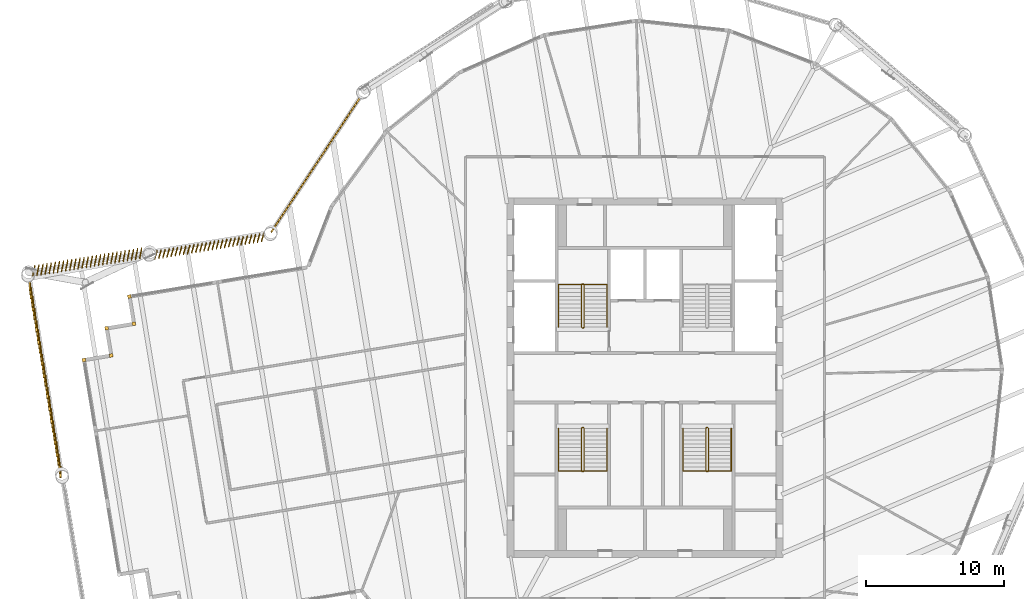
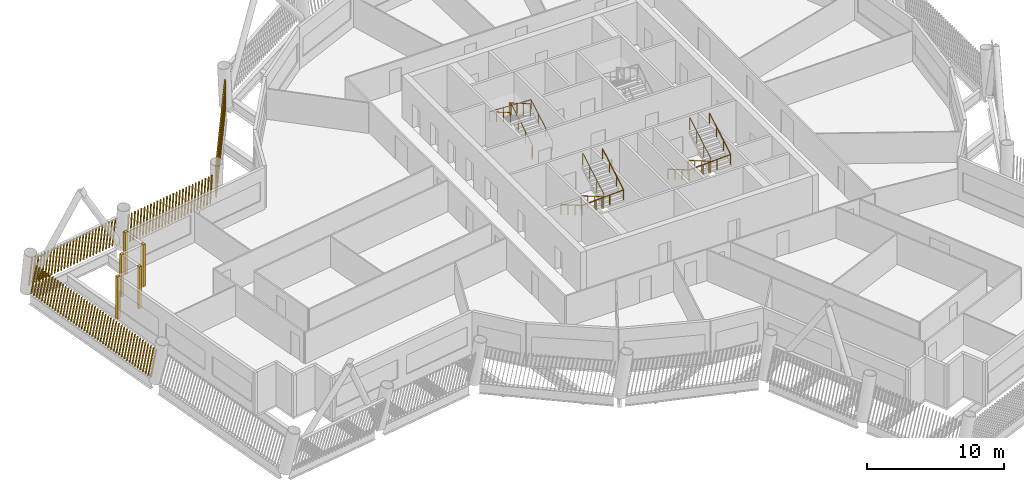
# One storey, part 20 of 23: 9 shading devices, 6 railings.
"""IFC4 building model written with IfcOpenShell, lengths in metres."""

from ifc_helpers import new_model, si_unit, direction, frame, frame_2d, origin, origin_2d, place, context, subcontext, project, spatial, rectangle, circle, composite_profile, extrude, material, type_object, element, save


model = new_model("IFC4")

# Units and contexts
model_context = context("Model", 3, precision=1e-05, world=origin(), true_north=direction((0.0, 1.0)))
body_context = subcontext(model_context, "Body", "Model", "MODEL_VIEW")
ifc_project = project(units=[si_unit("LENGTHUNIT", "METRE"), si_unit("AREAUNIT", "SQUARE_METRE"), si_unit("VOLUMEUNIT", "CUBIC_METRE"), si_unit("PLANEANGLEUNIT", "RADIAN"), si_unit("MASSUNIT", "GRAM", prefix="KILO")], contexts=[model_context])

# Site, building, storey
site_placement = place(None, origin())
site = spatial("IfcSite", under=ifc_project, at=site_placement, CompositionType="ELEMENT")
building_placement = place(site_placement, origin())
building = spatial("IfcBuilding", under=site, at=building_placement, Name="Tarsis Ring Headquarters", CompositionType="ELEMENT")
storey_placement = place(building_placement, frame((0.0, 0.0, 323.60009765625)))
storey = spatial("IfcBuildingStorey", under=building, at=storey_placement, Name="L76", CompositionType="ELEMENT", Elevation=323.60009765625)

# Railings
ifc_material_1 = material(Name="Steel S355", Category="steel")
railing_type_1 = type_object("IfcRailingType", Name="Core stair guard 1100", PredefinedType="GUARDRAIL", material=ifc_material_1)
railing_1_placement = place(storey_placement, frame((-4.5400390625, 3.610107421875, 0.0)))
element("IfcRailing", 1, at=railing_1_placement, inside=storey, type_object=railing_type_1, Name="L76 ST1 stair guard 1", PredefinedType="GUARDRAIL", context=body_context, shape_type="SweptSolid", body=[
    extrude(circle(Radius=0.02392578125, at=origin_2d()), frame((0.0, 0.0, 1.076171875), z_axis=(1.0, 0.0, 0.0), x_axis=(0.0, 1.0, 0.0)), (0.0, 0.0, 1.0), 0.080078125),
    extrude(circle(Radius=0.02392578125, at=origin_2d()), frame((0.080078125, 0.0, 1.076171875), z_axis=(0.282693820306, 0.281314826061, 0.917031173188), x_axis=(-0.705375805398, 0.708833529934, 0.0)), (0.0, 0.0, 1.0), 0.177001953125),
    extrude(circle(Radius=0.02392578125, at=origin_2d()), frame((0.130126953125, 0.0498046875, 1.23828125), z_axis=(0.0, 0.864890721111, 0.501960198159), x_axis=(-1.0, 0.0, 0.0)), (0.0, 0.0, 1.0), 3.561279296875),
    extrude(circle(Radius=0.02392578125, at=origin_2d()), frame((0.130126953125, 3.1298828125, 3.02587890625), z_axis=(-0.707106781187, 0.707106781187, 0.0), x_axis=(-0.707106781187, -0.707106781187, 0.0)), (0.0, 0.0, 1.0), 0.07080078125),
    extrude(circle(Radius=0.02392578125, at=origin_2d()), frame((0.080078125, 3.179931640625, 3.02587890625), z_axis=(-1.0, 0.0, 0.0), x_axis=(0.0, -1.0, 0.0)), (0.0, 0.0, 1.0), 0.080078125),
    extrude(circle(Radius=0.02392578125, at=origin_2d()), frame((0.0, 3.179931640625, 3.02587890625), z_axis=(-0.282583949758, -0.282583949758, 0.916674763849), x_axis=(0.707106781187, -0.707106781187, 0.0)), (0.0, 0.0, 1.0), 0.177001953125),
    extrude(circle(Radius=0.02392578125, at=origin_2d()), frame((-0.050048828125, 3.1298828125, 3.1884765625), z_axis=(0.0, -0.864890721111, 0.501960198159), x_axis=(1.0, 0.0, 0.0)), (0.0, 0.0, 1.0), 3.561279296875),
    extrude(circle(Radius=0.02099609375, at=origin_2d()), origin(), (0.0, 0.0, 1.0), 1.052001953125),
    extrude(circle(Radius=0.02099609375, at=origin_2d()), frame((0.080078125, 0.0, 0.0)), (0.0, 0.0, 1.0), 1.052001953125),
    extrude(circle(Radius=0.02099609375, at=origin_2d()), frame((0.130126953125, 0.0498046875, 0.162353515625)), (0.0, 0.0, 1.0), 1.052001953125),
    extrude(circle(Radius=0.02099609375, at=origin_2d()), frame((0.130126953125, 1.076416015625, 0.75830078125)), (0.0, 0.0, 1.0), 1.052001953125),
    extrude(circle(Radius=0.02099609375, at=origin_2d()), frame((0.130126953125, 2.103271484375, 1.35400390625)), (0.0, 0.0, 1.0), 1.052001953125),
    extrude(circle(Radius=0.02099609375, at=origin_2d()), frame((0.130126953125, 3.1298828125, 1.949951171875)), (0.0, 0.0, 1.0), 1.052001953125),
    extrude(circle(Radius=0.02099609375, at=origin_2d()), frame((0.080078125, 3.179931640625, 1.949951171875)), (0.0, 0.0, 1.0), 1.052001953125),
    extrude(circle(Radius=0.02099609375, at=origin_2d()), frame((0.0, 3.179931640625, 1.949951171875)), (0.0, 0.0, 1.0), 1.052001953125),
    extrude(circle(Radius=0.02099609375, at=origin_2d()), frame((-0.050048828125, 3.1298828125, 2.1123046875)), (0.0, 0.0, 1.0), 1.052001953125),
    extrude(circle(Radius=0.02099609375, at=origin_2d()), frame((-0.050048828125, 2.103271484375, 2.708251953125)), (0.0, 0.0, 1.0), 1.052001953125),
    extrude(circle(Radius=0.02099609375, at=origin_2d()), frame((-0.050048828125, 1.076416015625, 3.303955078125)), (0.0, 0.0, 1.0), 1.052001953125),
    extrude(circle(Radius=0.02099609375, at=origin_2d()), frame((-0.050048828125, 0.0498046875, 3.89990234375)), (0.0, 0.0, 1.0), 1.052001953125),
])
railing_2_placement = place(storey_placement, frame((-4.4599609375, -3.610107421875, 0.0)))
element("IfcRailing", 2, at=railing_2_placement, inside=storey, type_object=railing_type_1, Name="L76 ST3 stair guard 1", PredefinedType="GUARDRAIL", context=body_context, shape_type="SweptSolid", body=[
    extrude(circle(Radius=0.02392578125, at=origin_2d()), frame((0.0, 0.0, 1.076171875), z_axis=(-1.0, 0.0, 0.0), x_axis=(0.0, -1.0, 0.0)), (0.0, 0.0, 1.0), 0.080078125),
    extrude(circle(Radius=0.02392578125, at=origin_2d()), frame((-0.080078125, 0.0, 1.076171875), z_axis=(-0.282693820306, -0.281314826061, 0.917031173188), x_axis=(0.705375805398, -0.708833529934, 0.0)), (0.0, 0.0, 1.0), 0.177001953125),
    extrude(circle(Radius=0.02392578125, at=origin_2d()), frame((-0.130126953125, -0.0498046875, 1.23828125), z_axis=(0.0, -0.864890721111, 0.501960198159), x_axis=(1.0, 0.0, 0.0)), (0.0, 0.0, 1.0), 3.561279296875),
    extrude(circle(Radius=0.02392578125, at=origin_2d()), frame((-0.130126953125, -3.1298828125, 3.02587890625), z_axis=(0.707106781187, -0.707106781187, 0.0), x_axis=(0.707106781187, 0.707106781187, 0.0)), (0.0, 0.0, 1.0), 0.07080078125),
    extrude(circle(Radius=0.02392578125, at=origin_2d()), frame((-0.080078125, -3.179931640625, 3.02587890625), z_axis=(1.0, 0.0, 0.0), x_axis=(0.0, 1.0, 0.0)), (0.0, 0.0, 1.0), 0.080078125),
    extrude(circle(Radius=0.02392578125, at=origin_2d()), frame((0.0, -3.179931640625, 3.02587890625), z_axis=(0.282583949758, 0.282583949758, 0.916674763849), x_axis=(-0.707106781187, 0.707106781187, 0.0)), (0.0, 0.0, 1.0), 0.177001953125),
    extrude(circle(Radius=0.02392578125, at=origin_2d()), frame((0.050048828125, -3.1298828125, 3.1884765625), z_axis=(0.0, 0.864890721111, 0.501960198159), x_axis=(-1.0, 0.0, 0.0)), (0.0, 0.0, 1.0), 3.561279296875),
    extrude(circle(Radius=0.02099609375, at=origin_2d()), origin(), (0.0, 0.0, 1.0), 1.052001953125),
    extrude(circle(Radius=0.02099609375, at=origin_2d()), frame((-0.080078125, 0.0, 0.0)), (0.0, 0.0, 1.0), 1.052001953125),
    extrude(circle(Radius=0.02099609375, at=origin_2d()), frame((-0.130126953125, -0.0498046875, 0.162353515625)), (0.0, 0.0, 1.0), 1.052001953125),
    extrude(circle(Radius=0.02099609375, at=origin_2d()), frame((-0.130126953125, -1.076416015625, 0.75830078125)), (0.0, 0.0, 1.0), 1.052001953125),
    extrude(circle(Radius=0.02099609375, at=origin_2d()), frame((-0.130126953125, -2.103271484375, 1.35400390625)), (0.0, 0.0, 1.0), 1.052001953125),
    extrude(circle(Radius=0.02099609375, at=origin_2d()), frame((-0.130126953125, -3.1298828125, 1.949951171875)), (0.0, 0.0, 1.0), 1.052001953125),
    extrude(circle(Radius=0.02099609375, at=origin_2d()), frame((-0.080078125, -3.179931640625, 1.949951171875)), (0.0, 0.0, 1.0), 1.052001953125),
    extrude(circle(Radius=0.02099609375, at=origin_2d()), frame((0.0, -3.179931640625, 1.949951171875)), (0.0, 0.0, 1.0), 1.052001953125),
    extrude(circle(Radius=0.02099609375, at=origin_2d()), frame((0.050048828125, -3.1298828125, 2.1123046875)), (0.0, 0.0, 1.0), 1.052001953125),
    extrude(circle(Radius=0.02099609375, at=origin_2d()), frame((0.050048828125, -2.103271484375, 2.708251953125)), (0.0, 0.0, 1.0), 1.052001953125),
    extrude(circle(Radius=0.02099609375, at=origin_2d()), frame((0.050048828125, -1.076416015625, 3.303955078125)), (0.0, 0.0, 1.0), 1.052001953125),
    extrude(circle(Radius=0.02099609375, at=origin_2d()), frame((0.050048828125, -0.0498046875, 3.89990234375)), (0.0, 0.0, 1.0), 1.052001953125),
])
railing_3_placement = place(storey_placement, frame((4.5400390625, -3.610107421875, 0.0)))
element("IfcRailing", 3, at=railing_3_placement, inside=storey, type_object=railing_type_1, Name="L76 ST4 stair guard 1", PredefinedType="GUARDRAIL", context=body_context, shape_type="SweptSolid", body=[
    extrude(circle(Radius=0.02392578125, at=origin_2d()), frame((0.0, 0.0, 1.076171875), z_axis=(-1.0, 0.0, 0.0), x_axis=(0.0, -1.0, 0.0)), (0.0, 0.0, 1.0), 0.080078125),
    extrude(circle(Radius=0.02392578125, at=origin_2d()), frame((-0.080078125, 0.0, 1.076171875), z_axis=(-0.282693820306, -0.281314826061, 0.917031173188), x_axis=(0.705375805398, -0.708833529934, 0.0)), (0.0, 0.0, 1.0), 0.177001953125),
    extrude(circle(Radius=0.02392578125, at=origin_2d()), frame((-0.130126953125, -0.0498046875, 1.23828125), z_axis=(0.0, -0.864890721111, 0.501960198159), x_axis=(1.0, 0.0, 0.0)), (0.0, 0.0, 1.0), 3.561279296875),
    extrude(circle(Radius=0.02392578125, at=origin_2d()), frame((-0.130126953125, -3.1298828125, 3.02587890625), z_axis=(0.707106781187, -0.707106781187, 0.0), x_axis=(0.707106781187, 0.707106781187, 0.0)), (0.0, 0.0, 1.0), 0.07080078125),
    extrude(circle(Radius=0.02392578125, at=origin_2d()), frame((-0.080078125, -3.179931640625, 3.02587890625), z_axis=(1.0, 0.0, 0.0), x_axis=(0.0, 1.0, 0.0)), (0.0, 0.0, 1.0), 0.080078125),
    extrude(circle(Radius=0.02392578125, at=origin_2d()), frame((0.0, -3.179931640625, 3.02587890625), z_axis=(0.282583949758, 0.282583949758, 0.916674763849), x_axis=(-0.707106781187, 0.707106781187, 0.0)), (0.0, 0.0, 1.0), 0.177001953125),
    extrude(circle(Radius=0.02392578125, at=origin_2d()), frame((0.050048828125, -3.1298828125, 3.1884765625), z_axis=(0.0, 0.864890721111, 0.501960198159), x_axis=(-1.0, 0.0, 0.0)), (0.0, 0.0, 1.0), 3.561279296875),
    extrude(circle(Radius=0.02099609375, at=origin_2d()), origin(), (0.0, 0.0, 1.0), 1.052001953125),
    extrude(circle(Radius=0.02099609375, at=origin_2d()), frame((-0.080078125, 0.0, 0.0)), (0.0, 0.0, 1.0), 1.052001953125),
    extrude(circle(Radius=0.02099609375, at=origin_2d()), frame((-0.130126953125, -0.0498046875, 0.162353515625)), (0.0, 0.0, 1.0), 1.052001953125),
    extrude(circle(Radius=0.02099609375, at=origin_2d()), frame((-0.130126953125, -1.076416015625, 0.75830078125)), (0.0, 0.0, 1.0), 1.052001953125),
    extrude(circle(Radius=0.02099609375, at=origin_2d()), frame((-0.130126953125, -2.103271484375, 1.35400390625)), (0.0, 0.0, 1.0), 1.052001953125),
    extrude(circle(Radius=0.02099609375, at=origin_2d()), frame((-0.130126953125, -3.1298828125, 1.949951171875)), (0.0, 0.0, 1.0), 1.052001953125),
    extrude(circle(Radius=0.02099609375, at=origin_2d()), frame((-0.080078125, -3.179931640625, 1.949951171875)), (0.0, 0.0, 1.0), 1.052001953125),
    extrude(circle(Radius=0.02099609375, at=origin_2d()), frame((0.0, -3.179931640625, 1.949951171875)), (0.0, 0.0, 1.0), 1.052001953125),
    extrude(circle(Radius=0.02099609375, at=origin_2d()), frame((0.050048828125, -3.1298828125, 2.1123046875)), (0.0, 0.0, 1.0), 1.052001953125),
    extrude(circle(Radius=0.02099609375, at=origin_2d()), frame((0.050048828125, -2.103271484375, 2.708251953125)), (0.0, 0.0, 1.0), 1.052001953125),
    extrude(circle(Radius=0.02099609375, at=origin_2d()), frame((0.050048828125, -1.076416015625, 3.303955078125)), (0.0, 0.0, 1.0), 1.052001953125),
    extrude(circle(Radius=0.02099609375, at=origin_2d()), frame((0.050048828125, -0.0498046875, 3.89990234375)), (0.0, 0.0, 1.0), 1.052001953125),
])
railing_type_2 = type_object("IfcRailingType", Name="Core stair handrail 900", PredefinedType="HANDRAIL", material=ifc_material_1)
railing_4_placement = place(storey_placement, frame((-2.75, 3.659912109375, 0.162353515625)))
element("IfcRailing", 4, at=railing_4_placement, inside=storey, type_object=railing_type_2, Name="L76 ST1 stair handrail 1", PredefinedType="HANDRAIL", context=body_context, shape_type="SweptSolid", body=[
    extrude(circle(Radius=0.02392578125, at=origin_2d()), frame((0.0, 0.0, 0.8759765625), z_axis=(0.0, 0.864890721111, 0.501960198159), x_axis=(-1.0, 0.0, 0.0)), (0.0, 0.0, 1.0), 3.561279296875),
    extrude(circle(Radius=0.02392578125, at=origin_2d()), frame((0.0, 3.080078125, 2.66357421875), z_axis=(-0.998925869279, 0.0, 0.04633689335), x_axis=(0.0, -1.0, 0.0)), (0.0, 0.0, 1.0), 3.503662109375),
    extrude(circle(Radius=0.02392578125, at=origin_2d()), frame((-3.5, 3.080078125, 2.82568359375), z_axis=(0.0, -0.864890721111, 0.501960198159), x_axis=(1.0, 0.0, 0.0)), (0.0, 0.0, 1.0), 3.561279296875),
    extrude(circle(Radius=0.02099609375, at=origin_2d()), origin(), (0.0, 0.0, 1.0), 0.851806640625),
    extrude(circle(Radius=0.02099609375, at=origin_2d()), frame((0.0, 1.026611328125, 0.595947265625)), (0.0, 0.0, 1.0), 0.851806640625),
    extrude(circle(Radius=0.02099609375, at=origin_2d()), frame((0.0, 2.053466796875, 1.191650390625)), (0.0, 0.0, 1.0), 0.851806640625),
    extrude(circle(Radius=0.02099609375, at=origin_2d()), frame((0.0, 3.080078125, 1.78759765625)), (0.0, 0.0, 1.0), 0.851806640625),
    extrude(circle(Radius=0.02099609375, at=origin_2d()), frame((-1.166748046875, 3.080078125, 1.841796875)), (0.0, 0.0, 1.0), 0.851806640625),
    extrude(circle(Radius=0.02099609375, at=origin_2d()), frame((-2.333251953125, 3.080078125, 1.895751953125)), (0.0, 0.0, 1.0), 0.851806640625),
    extrude(circle(Radius=0.02099609375, at=origin_2d()), frame((-3.5, 3.080078125, 1.949951171875)), (0.0, 0.0, 1.0), 0.851806640625),
    extrude(circle(Radius=0.02099609375, at=origin_2d()), frame((-3.5, 2.053466796875, 2.5458984375)), (0.0, 0.0, 1.0), 0.851806640625),
    extrude(circle(Radius=0.02099609375, at=origin_2d()), frame((-3.5, 1.026611328125, 3.1416015625)), (0.0, 0.0, 1.0), 0.851806640625),
    extrude(circle(Radius=0.02099609375, at=origin_2d()), frame((-3.5, 0.0, 3.737548828125)), (0.0, 0.0, 1.0), 0.851806640625),
])
railing_5_placement = place(storey_placement, frame((-6.25, -3.659912109375, 0.162353515625)))
element("IfcRailing", 5, at=railing_5_placement, inside=storey, type_object=railing_type_2, Name="L76 ST3 stair handrail 1", PredefinedType="HANDRAIL", context=body_context, shape_type="SweptSolid", body=[
    extrude(circle(Radius=0.02392578125, at=origin_2d()), frame((0.0, 0.0, 0.8759765625), z_axis=(0.0, -0.864890721111, 0.501960198159), x_axis=(1.0, 0.0, 0.0)), (0.0, 0.0, 1.0), 3.561279296875),
    extrude(circle(Radius=0.02392578125, at=origin_2d()), frame((0.0, -3.080078125, 2.66357421875), z_axis=(0.998925869279, 0.0, 0.04633689335), x_axis=(0.0, 1.0, 0.0)), (0.0, 0.0, 1.0), 3.503662109375),
    extrude(circle(Radius=0.02392578125, at=origin_2d()), frame((3.5, -3.080078125, 2.82568359375), z_axis=(0.0, 0.864890721111, 0.501960198159), x_axis=(-1.0, 0.0, 0.0)), (0.0, 0.0, 1.0), 3.561279296875),
    extrude(circle(Radius=0.02099609375, at=origin_2d()), origin(), (0.0, 0.0, 1.0), 0.851806640625),
    extrude(circle(Radius=0.02099609375, at=origin_2d()), frame((0.0, -1.026611328125, 0.595947265625)), (0.0, 0.0, 1.0), 0.851806640625),
    extrude(circle(Radius=0.02099609375, at=origin_2d()), frame((0.0, -2.053466796875, 1.191650390625)), (0.0, 0.0, 1.0), 0.851806640625),
    extrude(circle(Radius=0.02099609375, at=origin_2d()), frame((0.0, -3.080078125, 1.78759765625)), (0.0, 0.0, 1.0), 0.851806640625),
    extrude(circle(Radius=0.02099609375, at=origin_2d()), frame((1.166748046875, -3.080078125, 1.841796875)), (0.0, 0.0, 1.0), 0.851806640625),
    extrude(circle(Radius=0.02099609375, at=origin_2d()), frame((2.333251953125, -3.080078125, 1.895751953125)), (0.0, 0.0, 1.0), 0.851806640625),
    extrude(circle(Radius=0.02099609375, at=origin_2d()), frame((3.5, -3.080078125, 1.949951171875)), (0.0, 0.0, 1.0), 0.851806640625),
    extrude(circle(Radius=0.02099609375, at=origin_2d()), frame((3.5, -2.053466796875, 2.5458984375)), (0.0, 0.0, 1.0), 0.851806640625),
    extrude(circle(Radius=0.02099609375, at=origin_2d()), frame((3.5, -1.026611328125, 3.1416015625)), (0.0, 0.0, 1.0), 0.851806640625),
    extrude(circle(Radius=0.02099609375, at=origin_2d()), frame((3.5, 0.0, 3.737548828125)), (0.0, 0.0, 1.0), 0.851806640625),
])
railing_6_placement = place(storey_placement, frame((2.75, -3.659912109375, 0.162353515625)))
element("IfcRailing", 6, at=railing_6_placement, inside=storey, type_object=railing_type_2, Name="L76 ST4 stair handrail 1", PredefinedType="HANDRAIL", context=body_context, shape_type="SweptSolid", body=[
    extrude(circle(Radius=0.02392578125, at=origin_2d()), frame((0.0, 0.0, 0.8759765625), z_axis=(0.0, -0.864890721111, 0.501960198159), x_axis=(1.0, 0.0, 0.0)), (0.0, 0.0, 1.0), 3.561279296875),
    extrude(circle(Radius=0.02392578125, at=origin_2d()), frame((0.0, -3.080078125, 2.66357421875), z_axis=(0.998925869279, 0.0, 0.04633689335), x_axis=(0.0, 1.0, 0.0)), (0.0, 0.0, 1.0), 3.503662109375),
    extrude(circle(Radius=0.02392578125, at=origin_2d()), frame((3.5, -3.080078125, 2.82568359375), z_axis=(0.0, 0.864890721111, 0.501960198159), x_axis=(-1.0, 0.0, 0.0)), (0.0, 0.0, 1.0), 3.561279296875),
    extrude(circle(Radius=0.02099609375, at=origin_2d()), origin(), (0.0, 0.0, 1.0), 0.851806640625),
    extrude(circle(Radius=0.02099609375, at=origin_2d()), frame((0.0, -1.026611328125, 0.595947265625)), (0.0, 0.0, 1.0), 0.851806640625),
    extrude(circle(Radius=0.02099609375, at=origin_2d()), frame((0.0, -2.053466796875, 1.191650390625)), (0.0, 0.0, 1.0), 0.851806640625),
    extrude(circle(Radius=0.02099609375, at=origin_2d()), frame((0.0, -3.080078125, 1.78759765625)), (0.0, 0.0, 1.0), 0.851806640625),
    extrude(circle(Radius=0.02099609375, at=origin_2d()), frame((1.166748046875, -3.080078125, 1.841796875)), (0.0, 0.0, 1.0), 0.851806640625),
    extrude(circle(Radius=0.02099609375, at=origin_2d()), frame((2.333251953125, -3.080078125, 1.895751953125)), (0.0, 0.0, 1.0), 0.851806640625),
    extrude(circle(Radius=0.02099609375, at=origin_2d()), frame((3.5, -3.080078125, 1.949951171875)), (0.0, 0.0, 1.0), 0.851806640625),
    extrude(circle(Radius=0.02099609375, at=origin_2d()), frame((3.5, -2.053466796875, 2.5458984375)), (0.0, 0.0, 1.0), 0.851806640625),
    extrude(circle(Radius=0.02099609375, at=origin_2d()), frame((3.5, -1.026611328125, 3.1416015625)), (0.0, 0.0, 1.0), 0.851806640625),
    extrude(circle(Radius=0.02099609375, at=origin_2d()), frame((3.5, 0.0, 3.737548828125)), (0.0, 0.0, 1.0), 0.851806640625),
])

# Shading devices
ifc_material_2 = material(Name="Terracotta baguette", Category="masonry")
shading_device_type_1 = type_object("IfcShadingDeviceType", Name="Terracotta baguette screen", PredefinedType="USERDEFINED", material=ifc_material_2)
shading_device_1_placement = place(storey_placement, frame((-20.59521484375, 20.341552734375, 0.0), z_axis=(0.0, 0.0, 1.0), x_axis=(-0.551079761259, -0.834443841563, 0.0)))
element("IfcShadingDevice", 7, at=shading_device_1_placement, inside=storey, type_object=shading_device_type_1, Name="Baguette screen L76-14", ObjectType="Terracotta baguette screen", PredefinedType="USERDEFINED", context=body_context, shape_type="SweptSolid", body=[
    extrude(composite_profile([rectangle(XDim=0.06005859375, YDim=0.1201171875, at=frame_2d((0.030029296875, 0.0))), rectangle(XDim=0.06005859375, YDim=0.1201171875, at=frame_2d((0.33251953125, 0.0))), rectangle(XDim=0.06005859375, YDim=0.1201171875, at=frame_2d((0.634765625, 0.0))), rectangle(XDim=0.06005859375, YDim=0.1201171875, at=frame_2d((0.937255859375, 0.0))), rectangle(XDim=0.06005859375, YDim=0.1201171875, at=frame_2d((1.239501953125, 0.0))), rectangle(XDim=0.06005859375, YDim=0.1201171875, at=frame_2d((1.5419921875, 0.0))), rectangle(XDim=0.06005859375, YDim=0.1201171875, at=frame_2d((1.844482421875, 0.0))), rectangle(XDim=0.06005859375, YDim=0.1201171875, at=frame_2d((2.146728515625, 0.0))), rectangle(XDim=0.06005859375, YDim=0.1201171875, at=frame_2d((2.44921875, 0.0))), rectangle(XDim=0.06005859375, YDim=0.1201171875, at=frame_2d((2.751708984375, 0.0))), rectangle(XDim=0.06005859375, YDim=0.1201171875, at=frame_2d((3.053955078125, 0.0))), rectangle(XDim=0.06005859375, YDim=0.1201171875, at=frame_2d((3.3564453125, 0.0))), rectangle(XDim=0.06005859375, YDim=0.1201171875, at=frame_2d((3.65869140625, 0.0))), rectangle(XDim=0.06005859375, YDim=0.1201171875, at=frame_2d((3.961181640625, 0.0))), rectangle(XDim=0.06005859375, YDim=0.1201171875, at=frame_2d((4.263671875, 0.0))), rectangle(XDim=0.06005859375, YDim=0.1201171875, at=frame_2d((4.56591796875, 0.0))), rectangle(XDim=0.06005859375, YDim=0.1201171875, at=frame_2d((4.868408203125, 0.0))), rectangle(XDim=0.06005859375, YDim=0.1201171875, at=frame_2d((5.1708984375, 0.0))), rectangle(XDim=0.06005859375, YDim=0.1201171875, at=frame_2d((5.47314453125, 0.0))), rectangle(XDim=0.06005859375, YDim=0.1201171875, at=frame_2d((5.775634765625, 0.0))), rectangle(XDim=0.06005859375, YDim=0.1201171875, at=frame_2d((6.077880859375, 0.0))), rectangle(XDim=0.06005859375, YDim=0.1201171875, at=frame_2d((6.38037109375, 0.0))), rectangle(XDim=0.06005859375, YDim=0.1201171875, at=frame_2d((6.682861328125, 0.0))), rectangle(XDim=0.06005859375, YDim=0.1201171875, at=frame_2d((6.985107421875, 0.0))), rectangle(XDim=0.06005859375, YDim=0.1201171875, at=frame_2d((7.28759765625, 0.0))), rectangle(XDim=0.06005859375, YDim=0.1201171875, at=frame_2d((7.590087890625, 0.0))), rectangle(XDim=0.06005859375, YDim=0.1201171875, at=frame_2d((7.892333984375, 0.0))), rectangle(XDim=0.06005859375, YDim=0.1201171875, at=frame_2d((8.19482421875, 0.0))), rectangle(XDim=0.06005859375, YDim=0.1201171875, at=frame_2d((8.4970703125, 0.0))), rectangle(XDim=0.06005859375, YDim=0.1201171875, at=frame_2d((8.799560546875, 0.0))), rectangle(XDim=0.06005859375, YDim=0.1201171875, at=frame_2d((9.10205078125, 0.0))), rectangle(XDim=0.06005859375, YDim=0.1201171875, at=frame_2d((9.404296875, 0.0))), rectangle(XDim=0.06005859375, YDim=0.1201171875, at=frame_2d((9.706787109375, 0.0))), rectangle(XDim=0.06005859375, YDim=0.1201171875, at=frame_2d((10.00927734375, 0.0))), rectangle(XDim=0.06005859375, YDim=0.1201171875, at=frame_2d((10.3115234375, 0.0))), rectangle(XDim=0.06005859375, YDim=0.1201171875, at=frame_2d((10.614013671875, 0.0))), rectangle(XDim=0.06005859375, YDim=0.1201171875, at=frame_2d((10.916259765625, 0.0))), rectangle(XDim=0.06005859375, YDim=0.1201171875, at=frame_2d((11.21875, 0.0)))]), origin(), (0.171100437439, 0.001553217739, 0.98525236758), 3.01220703125),
])
shading_device_2_placement = place(storey_placement, frame((-27.56298828125, 10.45654296875, 0.0), z_axis=(0.0, 0.0, 1.0), x_axis=(-0.986684379634, -0.162660652496, 0.0)))
element("IfcShadingDevice", 8, at=shading_device_2_placement, inside=storey, type_object=shading_device_type_1, Name="Baguette screen L76-15", ObjectType="Terracotta baguette screen", PredefinedType="USERDEFINED", context=body_context, shape_type="SweptSolid", body=[
    extrude(composite_profile([rectangle(XDim=0.06005859375, YDim=0.1201171875, at=frame_2d((0.030029296875, 0.0))), rectangle(XDim=0.06005859375, YDim=0.1201171875, at=frame_2d((0.33154296875, 0.0))), rectangle(XDim=0.06005859375, YDim=0.1201171875, at=frame_2d((0.63330078125, 0.0))), rectangle(XDim=0.06005859375, YDim=0.1201171875, at=frame_2d((0.934814453125, 0.0))), rectangle(XDim=0.06005859375, YDim=0.1201171875, at=frame_2d((1.236572265625, 0.0))), rectangle(XDim=0.06005859375, YDim=0.1201171875, at=frame_2d((1.5380859375, 0.0))), rectangle(XDim=0.06005859375, YDim=0.1201171875, at=frame_2d((1.83984375, 0.0))), rectangle(XDim=0.06005859375, YDim=0.1201171875, at=frame_2d((2.141357421875, 0.0))), rectangle(XDim=0.06005859375, YDim=0.1201171875, at=frame_2d((2.443115234375, 0.0))), rectangle(XDim=0.06005859375, YDim=0.1201171875, at=frame_2d((2.74462890625, 0.0))), rectangle(XDim=0.06005859375, YDim=0.1201171875, at=frame_2d((3.04638671875, 0.0))), rectangle(XDim=0.06005859375, YDim=0.1201171875, at=frame_2d((3.347900390625, 0.0))), rectangle(XDim=0.06005859375, YDim=0.1201171875, at=frame_2d((3.649658203125, 0.0))), rectangle(XDim=0.06005859375, YDim=0.1201171875, at=frame_2d((3.951171875, 0.0))), rectangle(XDim=0.06005859375, YDim=0.1201171875, at=frame_2d((4.252685546875, 0.0))), rectangle(XDim=0.06005859375, YDim=0.1201171875, at=frame_2d((4.554443359375, 0.0))), rectangle(XDim=0.06005859375, YDim=0.1201171875, at=frame_2d((4.85595703125, 0.0))), rectangle(XDim=0.06005859375, YDim=0.1201171875, at=frame_2d((5.15771484375, 0.0))), rectangle(XDim=0.06005859375, YDim=0.1201171875, at=frame_2d((5.459228515625, 0.0))), rectangle(XDim=0.06005859375, YDim=0.1201171875, at=frame_2d((5.760986328125, 0.0))), rectangle(XDim=0.06005859375, YDim=0.1201171875, at=frame_2d((6.0625, 0.0))), rectangle(XDim=0.06005859375, YDim=0.1201171875, at=frame_2d((6.3642578125, 0.0))), rectangle(XDim=0.06005859375, YDim=0.1201171875, at=frame_2d((6.665771484375, 0.0))), rectangle(XDim=0.06005859375, YDim=0.1201171875, at=frame_2d((6.967529296875, 0.0))), rectangle(XDim=0.06005859375, YDim=0.1201171875, at=frame_2d((7.26904296875, 0.0))), rectangle(XDim=0.06005859375, YDim=0.1201171875, at=frame_2d((7.57080078125, 0.0))), rectangle(XDim=0.06005859375, YDim=0.1201171875, at=frame_2d((7.872314453125, 0.0)))]), origin(), (0.087131805155, 0.177344183232, 0.98028418798), 3.02734375),
])
shading_device_3_placement = place(storey_placement, frame((-36.40771484375, 9.378662109375, 0.0), z_axis=(0.0, 0.0, 1.0), x_axis=(-0.986684379634, -0.162629757785, 0.0)))
element("IfcShadingDevice", 9, at=shading_device_3_placement, inside=storey, type_object=shading_device_type_1, Name="Baguette screen L76-16", ObjectType="Terracotta baguette screen", PredefinedType="USERDEFINED", context=body_context, shape_type="SweptSolid", body=[
    extrude(composite_profile([rectangle(XDim=0.06005859375, YDim=0.1201171875, at=frame_2d((0.030029296875, 0.0))), rectangle(XDim=0.06005859375, YDim=0.1201171875, at=frame_2d((0.33154296875, 0.0))), rectangle(XDim=0.06005859375, YDim=0.1201171875, at=frame_2d((0.63330078125, 0.0))), rectangle(XDim=0.06005859375, YDim=0.1201171875, at=frame_2d((0.934814453125, 0.0))), rectangle(XDim=0.06005859375, YDim=0.1201171875, at=frame_2d((1.236572265625, 0.0))), rectangle(XDim=0.06005859375, YDim=0.1201171875, at=frame_2d((1.5380859375, 0.0))), rectangle(XDim=0.06005859375, YDim=0.1201171875, at=frame_2d((1.83984375, 0.0))), rectangle(XDim=0.06005859375, YDim=0.1201171875, at=frame_2d((2.141357421875, 0.0))), rectangle(XDim=0.06005859375, YDim=0.1201171875, at=frame_2d((2.443115234375, 0.0))), rectangle(XDim=0.06005859375, YDim=0.1201171875, at=frame_2d((2.74462890625, 0.0))), rectangle(XDim=0.06005859375, YDim=0.1201171875, at=frame_2d((3.04638671875, 0.0))), rectangle(XDim=0.06005859375, YDim=0.1201171875, at=frame_2d((3.347900390625, 0.0))), rectangle(XDim=0.06005859375, YDim=0.1201171875, at=frame_2d((3.649658203125, 0.0))), rectangle(XDim=0.06005859375, YDim=0.1201171875, at=frame_2d((3.951171875, 0.0))), rectangle(XDim=0.06005859375, YDim=0.1201171875, at=frame_2d((4.252685546875, 0.0))), rectangle(XDim=0.06005859375, YDim=0.1201171875, at=frame_2d((4.554443359375, 0.0))), rectangle(XDim=0.06005859375, YDim=0.1201171875, at=frame_2d((4.85595703125, 0.0))), rectangle(XDim=0.06005859375, YDim=0.1201171875, at=frame_2d((5.15771484375, 0.0))), rectangle(XDim=0.06005859375, YDim=0.1201171875, at=frame_2d((5.459228515625, 0.0))), rectangle(XDim=0.06005859375, YDim=0.1201171875, at=frame_2d((5.760986328125, 0.0))), rectangle(XDim=0.06005859375, YDim=0.1201171875, at=frame_2d((6.0625, 0.0))), rectangle(XDim=0.06005859375, YDim=0.1201171875, at=frame_2d((6.3642578125, 0.0))), rectangle(XDim=0.06005859375, YDim=0.1201171875, at=frame_2d((6.665771484375, 0.0))), rectangle(XDim=0.06005859375, YDim=0.1201171875, at=frame_2d((6.967529296875, 0.0))), rectangle(XDim=0.06005859375, YDim=0.1201171875, at=frame_2d((7.26904296875, 0.0))), rectangle(XDim=0.06005859375, YDim=0.1201171875, at=frame_2d((7.57080078125, 0.0))), rectangle(XDim=0.06005859375, YDim=0.1201171875, at=frame_2d((7.872314453125, 0.0)))]), origin(), (0.087923230278, 0.228229335016, 0.969629246782), 3.060791015625),
])
shading_device_4_placement = place(storey_placement, frame((-44.555908203125, 7.148681640625, 0.0), z_axis=(0.0, 0.0, 1.0), x_axis=(0.162636001769, -0.986678460858, 0.0)))
element("IfcShadingDevice", 10, at=shading_device_4_placement, inside=storey, type_object=shading_device_type_1, Name="Baguette screen L76-17", ObjectType="Terracotta baguette screen", PredefinedType="USERDEFINED", context=body_context, shape_type="SweptSolid", body=[
    extrude(composite_profile([rectangle(XDim=0.06005859375, YDim=0.1201171875, at=frame_2d((0.030029296875, 0.0))), rectangle(XDim=0.06005859375, YDim=0.1201171875, at=frame_2d((0.33544921875, 0.0))), rectangle(XDim=0.06005859375, YDim=0.1201171875, at=frame_2d((0.640625, 0.0))), rectangle(XDim=0.06005859375, YDim=0.1201171875, at=frame_2d((0.946044921875, 0.0))), rectangle(XDim=0.06005859375, YDim=0.1201171875, at=frame_2d((1.25146484375, 0.0))), rectangle(XDim=0.06005859375, YDim=0.1201171875, at=frame_2d((1.556640625, 0.0))), rectangle(XDim=0.06005859375, YDim=0.1201171875, at=frame_2d((1.862060546875, 0.0))), rectangle(XDim=0.06005859375, YDim=0.1201171875, at=frame_2d((2.16748046875, 0.0))), rectangle(XDim=0.06005859375, YDim=0.1201171875, at=frame_2d((2.47265625, 0.0))), rectangle(XDim=0.06005859375, YDim=0.1201171875, at=frame_2d((2.778076171875, 0.0))), rectangle(XDim=0.06005859375, YDim=0.1201171875, at=frame_2d((3.08349609375, 0.0))), rectangle(XDim=0.06005859375, YDim=0.1201171875, at=frame_2d((3.388671875, 0.0))), rectangle(XDim=0.06005859375, YDim=0.1201171875, at=frame_2d((3.694091796875, 0.0))), rectangle(XDim=0.06005859375, YDim=0.1201171875, at=frame_2d((3.99951171875, 0.0))), rectangle(XDim=0.06005859375, YDim=0.1201171875, at=frame_2d((4.3046875, 0.0))), rectangle(XDim=0.06005859375, YDim=0.1201171875, at=frame_2d((4.610107421875, 0.0))), rectangle(XDim=0.06005859375, YDim=0.1201171875, at=frame_2d((4.91552734375, 0.0))), rectangle(XDim=0.06005859375, YDim=0.1201171875, at=frame_2d((5.220703125, 0.0))), rectangle(XDim=0.06005859375, YDim=0.1201171875, at=frame_2d((5.526123046875, 0.0))), rectangle(XDim=0.06005859375, YDim=0.1201171875, at=frame_2d((5.83154296875, 0.0))), rectangle(XDim=0.06005859375, YDim=0.1201171875, at=frame_2d((6.13671875, 0.0))), rectangle(XDim=0.06005859375, YDim=0.1201171875, at=frame_2d((6.442138671875, 0.0))), rectangle(XDim=0.06005859375, YDim=0.1201171875, at=frame_2d((6.74755859375, 0.0))), rectangle(XDim=0.06005859375, YDim=0.1201171875, at=frame_2d((7.052734375, 0.0))), rectangle(XDim=0.06005859375, YDim=0.1201171875, at=frame_2d((7.358154296875, 0.0))), rectangle(XDim=0.06005859375, YDim=0.1201171875, at=frame_2d((7.66357421875, 0.0))), rectangle(XDim=0.06005859375, YDim=0.1201171875, at=frame_2d((7.96875, 0.0))), rectangle(XDim=0.06005859375, YDim=0.1201171875, at=frame_2d((8.274169921875, 0.0))), rectangle(XDim=0.06005859375, YDim=0.1201171875, at=frame_2d((8.57958984375, 0.0))), rectangle(XDim=0.06005859375, YDim=0.1201171875, at=frame_2d((8.884765625, 0.0))), rectangle(XDim=0.06005859375, YDim=0.1201171875, at=frame_2d((9.190185546875, 0.0))), rectangle(XDim=0.06005859375, YDim=0.1201171875, at=frame_2d((9.49560546875, 0.0))), rectangle(XDim=0.06005859375, YDim=0.1201171875, at=frame_2d((9.80078125, 0.0))), rectangle(XDim=0.06005859375, YDim=0.1201171875, at=frame_2d((10.106201171875, 0.0))), rectangle(XDim=0.06005859375, YDim=0.1201171875, at=frame_2d((10.41162109375, 0.0))), rectangle(XDim=0.06005859375, YDim=0.1201171875, at=frame_2d((10.716796875, 0.0))), rectangle(XDim=0.06005859375, YDim=0.1201171875, at=frame_2d((11.022216796875, 0.0))), rectangle(XDim=0.06005859375, YDim=0.1201171875, at=frame_2d((11.32763671875, 0.0))), rectangle(XDim=0.06005859375, YDim=0.1201171875, at=frame_2d((11.6328125, 0.0))), rectangle(XDim=0.06005859375, YDim=0.1201171875, at=frame_2d((11.938232421875, 0.0))), rectangle(XDim=0.06005859375, YDim=0.1201171875, at=frame_2d((12.24365234375, 0.0))), rectangle(XDim=0.06005859375, YDim=0.1201171875, at=frame_2d((12.548828125, 0.0))), rectangle(XDim=0.06005859375, YDim=0.1201171875, at=frame_2d((12.854248046875, 0.0))), rectangle(XDim=0.06005859375, YDim=0.1201171875, at=frame_2d((13.15966796875, 0.0))), rectangle(XDim=0.06005859375, YDim=0.1201171875, at=frame_2d((13.46484375, 0.0))), rectangle(XDim=0.06005859375, YDim=0.1201171875, at=frame_2d((13.770263671875, 0.0)))]), origin(), (0.253378684631, -0.041443730093, 0.966479001019), 3.07080078125),
])
shading_device_type_2 = type_object("IfcShadingDeviceType", Name="Terracotta corner baguette 250x250", PredefinedType="USERDEFINED", material=ifc_material_2)
for number, where, z_axis, x_axis, name in (
    (11, (-37.32861328125, 5.88232421875, 0.0), (0.0, 0.0, 1.0), (-0.986685947046, -0.162637147974, 0.0), "Corner baguette L76-32"),
    (12, (-37.00341796875, 3.908935546875, 0.0), (0.0, 0.0, 1.0), (0.162636906881, -0.986685986786, 0.0), "Corner baguette L76-33"),
    (13, (-38.976806640625, 3.583740234375, 0.0), (0.0, 0.0, 1.0), (-0.986685958401, -0.16263707909, 0.0), "Corner baguette L76-34"),
    (14, (-38.651611328125, 1.6103515625, 0.0), (0.0, 0.0, 1.0), (0.162636992986, -0.986685972593, 0.0), "Corner baguette L76-35"),
    (15, (-40.624755859375, 1.284912109375, 0.0), (0.0, 0.0, 1.0), (-0.986685972593, -0.162636992986, 0.0), "Corner baguette L76-36"),
):
    element("IfcShadingDevice", number, at=place(storey_placement, frame(where, z_axis=z_axis, x_axis=x_axis)), inside=storey, type_object=shading_device_type_2, Name=name, ObjectType="Terracotta corner baguette", PredefinedType="USERDEFINED", context=body_context, shape_type="SweptSolid", body=[
        extrude(rectangle(XDim=0.25, YDim=0.25, at=origin_2d()), origin(), (0.0, 0.0, 1.0), 3.739990234375),
    ])

save(model, "model.ifc")
